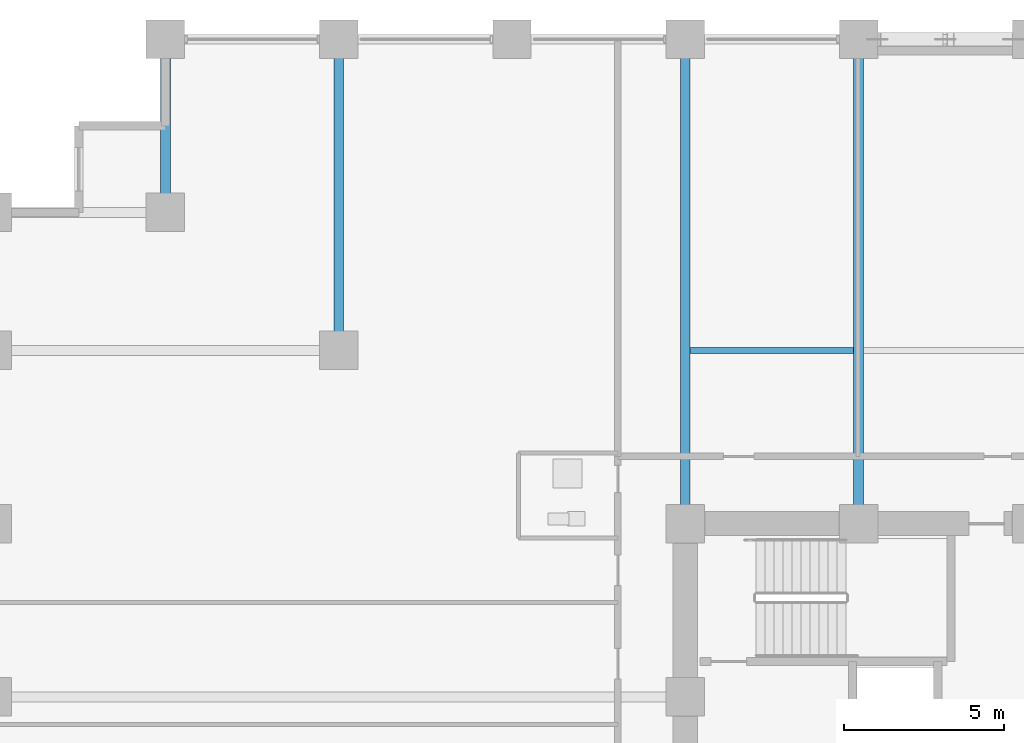
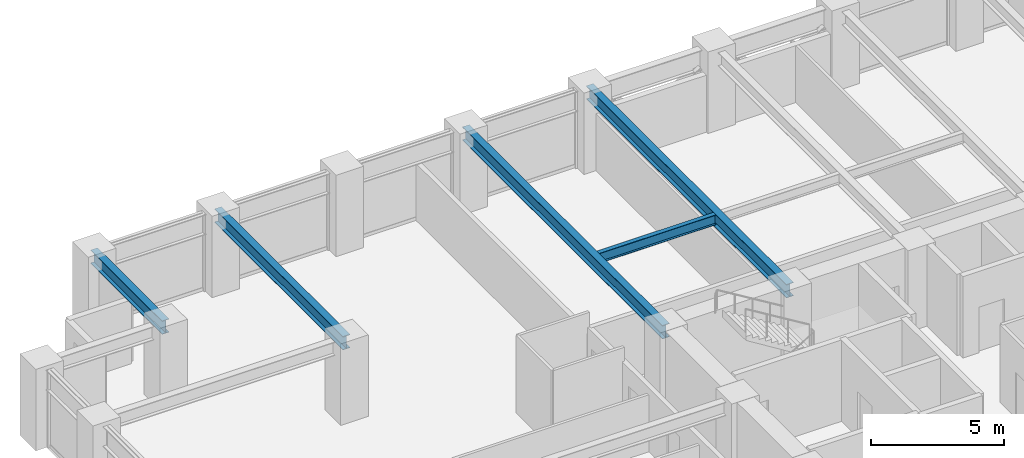
# One storey, part 11 of 28: 5 beams.
"""IFC4 building model written with IfcOpenShell, lengths in metres."""

import ifcopenshell
import ifcopenshell.guid

model = None  # the IFC model being written
_history = None  # IfcOwnerHistory: only IFC2X3 demands one
_inside = {}  # id of a spatial element -> (the spatial element, [elements in it])
_under = {}  # id of a project, library or spatial element -> (it, [spatial elements below it])
_declared = {}  # id of a project -> (the project, [libraries it declares])
_typed = {}  # id of a type object -> (the type object, [elements of that type])
_made_of = {}  # id of a material, layer set ... -> (it, [elements and type objects made of it])


def new_model(schema):
    """Start an empty IFC model of exactly this schema.

    Asked for "IFC4X3", IfcOpenShell would pick the latest addendum, in which some entities
    have other attributes; the version numbers below select the first issue.
    IFC2X3 requires an IfcOwnerHistory on every rooted entity: one is made here for all.
    """
    global model, _history
    if schema == "IFC4X3":
        model = ifcopenshell.file(schema_version=(4, 3, 0, 0))
    else:
        model = ifcopenshell.file(schema=schema)
    _inside.clear()
    _under.clear()
    _declared.clear()
    _typed.clear()
    _made_of.clear()
    _history = None
    if model.schema == "IFC2X3":
        org = make("IfcOrganization", Name="unknown")
        user = make(
            "IfcPersonAndOrganization",
            ThePerson=make("IfcPerson", FamilyName="unknown"),
            TheOrganization=org,
        )
        app = make(
            "IfcApplication",
            ApplicationDeveloper=org,
            Version="unknown",
            ApplicationFullName="unknown",
            ApplicationIdentifier="unknown",
        )
        _history = make(
            "IfcOwnerHistory",
            OwningUser=user,
            OwningApplication=app,
            ChangeAction="ADDED",
            CreationDate=0,
        )
    return model


def make(cls, **values):
    """One entity of the class cls with the attributes given. An attribute that is None is left unset."""
    return model.create_entity(
        cls, **{name: value for name, value in values.items() if value is not None}
    )


def rooted(cls, **values):
    """An entity with a GlobalId (a new one), such as an element, a storey or a relation."""
    return make(cls, GlobalId=ifcopenshell.guid.new(), OwnerHistory=_history, **values)


def si_unit(unit_type, name, prefix=None):
    """IfcSIUnit, for example si_unit("LENGTHUNIT", "METRE", prefix="MILLI")."""
    return make("IfcSIUnit", UnitType=unit_type, Prefix=prefix, Name=name)


def assignment(units):
    """IfcUnitAssignment: the units of a project."""
    return None if units is None else make("IfcUnitAssignment", Units=units)


def point(xyz):
    """IfcCartesianPoint."""
    return None if xyz is None else make("IfcCartesianPoint", Coordinates=xyz)


def direction(xyz):
    """IfcDirection."""
    return None if xyz is None else make("IfcDirection", DirectionRatios=xyz)


def frame(location, z_axis=None, x_axis=None):
    """IfcAxis2Placement3D, a coordinate frame: its origin and axes. An axis left out is left unset."""
    return make(
        "IfcAxis2Placement3D",
        Location=point(location),
        Axis=direction(z_axis),
        RefDirection=direction(x_axis),
    )


def frame_2d(location, x_axis=None):
    """IfcAxis2Placement2D, a coordinate frame in the plane: its origin and x axis."""
    return make(
        "IfcAxis2Placement2D", Location=point(location), RefDirection=direction(x_axis)
    )


def origin():
    """The frame at (0, 0, 0) with its axes left unset."""
    return frame((0.0, 0.0, 0.0))


def origin_2d():
    """The frame at (0, 0) in the plane with its x axis left unset."""
    return frame_2d((0.0, 0.0))


def place(relative_to, where):
    """IfcLocalPlacement: puts the frame where relative to a parent placement (None: the world)."""
    return make(
        "IfcLocalPlacement", PlacementRelTo=relative_to, RelativePlacement=where
    )


def context(
    kind, dimensions, precision=None, world=None, true_north=None, identifier=None
):
    """IfcGeometricRepresentationContext, for example the 3D "Model" context."""
    return make(
        "IfcGeometricRepresentationContext",
        ContextIdentifier=identifier,
        ContextType=kind,
        CoordinateSpaceDimension=dimensions,
        Precision=precision,
        WorldCoordinateSystem=world,
        TrueNorth=true_north,
    )


def subcontext(parent, identifier, kind, view, scale=None):
    """IfcGeometricRepresentationSubContext, for example "Body" below "Model"."""
    return make(
        "IfcGeometricRepresentationSubContext",
        ContextIdentifier=identifier,
        ContextType=kind,
        ParentContext=parent,
        TargetScale=scale,
        TargetView=view,
    )


def project(units=None, contexts=None):
    """IfcProject with its units and contexts."""
    return rooted(
        "IfcProject",
        Name="project",
        RepresentationContexts=contexts,
        UnitsInContext=assignment(units),
    )


def spatial(cls, under=None, at=None, **own):
    """A site, building, storey or space (cls), placed at a placement, below another one or the project."""
    s = rooted(cls, ObjectPlacement=at, **own)
    if under is not None:
        _under.setdefault(under.id(), (under, []))[1].append(s)
    return s


def profile(cls, at=None, kind="AREA", **sizes):
    """A parametric profile (cls). Its sizes go by their IFC names, for example OverallWidth=200.0."""
    return make(cls, ProfileType=kind, Position=at, **sizes)


def i_section(**sizes):
    """IfcIShapeProfileDef."""
    return profile("IfcIShapeProfileDef", **sizes)


def extrude(swept, where, along, depth):
    """IfcExtrudedAreaSolid: the profile swept, set in the frame where, extruded along a direction by depth."""
    return make(
        "IfcExtrudedAreaSolid",
        SweptArea=swept,
        Position=where,
        ExtrudedDirection=direction(along),
        Depth=depth,
    )


def shape(context_of_items, identifier, shape_type, items):
    """IfcShapeRepresentation: the items that make up one representation, for example the "Body"."""
    return make(
        "IfcShapeRepresentation",
        ContextOfItems=context_of_items,
        RepresentationIdentifier=identifier,
        RepresentationType=shape_type,
        Items=items,
    )


def material(Name=None, Category=None):
    """IfcMaterial."""
    return make("IfcMaterial", Name=Name, Category=Category)


def material_profile(
    of_material, cross_section, Name=None, Category=None, Priority=None
):
    """IfcMaterialProfile: a cross section and its material."""
    return make(
        "IfcMaterialProfile",
        Name=Name,
        Material=of_material,
        Profile=cross_section,
        Priority=Priority,
        Category=Category,
    )


def profile_set(profiles, Name=None, composite=None):
    """IfcMaterialProfileSet."""
    return make(
        "IfcMaterialProfileSet",
        Name=Name,
        MaterialProfiles=profiles,
        CompositeProfile=composite,
    )


def made_of(thing, what):
    """Note that an element or type object is made of a material, layer set ...; save() writes the relation."""
    if what is not None:
        _made_of.setdefault(what.id(), (what, []))[1].append(thing)
    return thing


def type_object(cls, material=None, **own):
    """A type object (cls), such as IfcWallType, which elements share."""
    return made_of(rooted(cls, **own), material)


def element(
    cls,
    number,
    at=None,
    inside=None,
    cuts=None,
    type_object=None,
    material=None,
    context=None,
    identifier="Body",
    shape_type=None,
    held_by="IfcProductDefinitionShape",
    body=None,
    shapes=None,
    **own,
):
    """One element of the class cls, such as IfcWall. Its Tag is "e" and its number.

    at: its placement. inside: the storey or other place that contains it. cuts: it is an
    opening in that element (IfcRelVoidsElement). A single representation is given by context,
    identifier, shape_type and body (its items); several are given by shapes. held_by: the class
    of the entity that holds the representations. save() writes the other relations.
    """
    e = rooted(cls, Tag="e%d" % number, ObjectPlacement=at, **own)
    if body is not None:
        shapes = [shape(context, identifier, shape_type, body)]
    if shapes is not None:
        e.Representation = make(held_by, Representations=shapes)
    if inside is not None:
        _inside.setdefault(inside.id(), (inside, []))[1].append(e)
    if cuts is not None:
        rooted(
            "IfcRelVoidsElement", RelatingBuildingElement=cuts, RelatedOpeningElement=e
        )
    if type_object is not None:
        _typed.setdefault(type_object.id(), (type_object, []))[1].append(e)
    return made_of(e, material)


def aggregate(whole, parts):
    """IfcRelAggregates: a whole, such as a stair, and the parts it consists of."""
    return rooted("IfcRelAggregates", RelatingObject=whole, RelatedObjects=parts)


def save(model, path):
    """Write the relations noted so far, then the file.

    IfcRelAggregates (storeys below a building ...), IfcRelContainedInSpatialStructure (elements
    in a storey), IfcRelDefinesByType, IfcRelAssociatesMaterial and IfcRelDeclares: one each for
    every whole, place, type object, material and project.
    """
    for whole, parts in _under.values():
        aggregate(whole, parts)
    for where, things in _inside.values():
        rooted(
            "IfcRelContainedInSpatialStructure",
            RelatedElements=things,
            RelatingStructure=where,
        )
    for kind, things in _typed.values():
        rooted("IfcRelDefinesByType", RelatedObjects=things, RelatingType=kind)
    for what, things in _made_of.values():
        rooted("IfcRelAssociatesMaterial", RelatedObjects=things, RelatingMaterial=what)
    for by, libraries in _declared.values():
        rooted("IfcRelDeclares", RelatingContext=by, RelatedDefinitions=libraries)
    model.write(path)


model = new_model("IFC4")

# Units and contexts
model_context = context("Model", 3, precision=1e-05, world=origin(), true_north=direction((0.0, 1.0)))
body_context = subcontext(model_context, "Body", "Model", "MODEL_VIEW")
ifc_project = project(units=[si_unit("LENGTHUNIT", "METRE"), si_unit("AREAUNIT", "SQUARE_METRE"), si_unit("VOLUMEUNIT", "CUBIC_METRE"), si_unit("PLANEANGLEUNIT", "RADIAN"), si_unit("MASSUNIT", "GRAM", prefix="KILO")], contexts=[model_context])

# Site, building, storey
site_placement = place(None, origin())
site = spatial("IfcSite", under=ifc_project, at=site_placement, CompositionType="ELEMENT")
building_placement = place(site_placement, origin())
building = spatial("IfcBuilding", under=site, at=building_placement, Name="Surkhivell Harbour Commons", CompositionType="ELEMENT")
storey_placement = place(building_placement, frame((0.0, 0.0, 67.5)))
storey = spatial("IfcBuildingStorey", under=building, at=storey_placement, Name="L17", CompositionType="ELEMENT", Elevation=67.5)

# Beams
ifc_material = material(Name="Steel S355", Category="steel")
ifc_material_profile_1 = material_profile(ifc_material, i_section(OverallWidth=0.306884765625, OverallDepth=0.6201171875, WebThickness=0.01416015625, FlangeThickness=0.023681640625, at=origin_2d()), Name="UB610x305x179")
ifc_profile_set_1 = profile_set([ifc_material_profile_1], Name="Steel S355")
beam_type_1 = type_object("IfcBeamType", Name="BM-GRD-610A", PredefinedType="BEAM", material=ifc_profile_set_1)
beam_1_placement = place(storey_placement, frame((-27.0, 20.5, 3.260009765625), z_axis=(0.0, 1.0, 0.0), x_axis=(-1.0, 0.0, 0.0)))
element("IfcBeam", 1, at=beam_1_placement, inside=storey, type_object=beam_type_1, Name="L17 Floor Girder (-27.0,20.5)", PredefinedType="BEAM", context=body_context, shape_type="SweptSolid", body=[
    extrude(i_section(OverallWidth=0.306884765625, OverallDepth=0.6201171875, WebThickness=0.01416015625, FlangeThickness=0.023681640625, at=origin_2d()), origin(), (0.0, 0.0, 1.0), 5.39990234375),
])
beam_2_placement = place(storey_placement, frame((-21.60009765625, 16.199951171875, 3.260009765625), z_axis=(0.0, 1.0, 0.0), x_axis=(-1.0, 0.0, 0.0)))
element("IfcBeam", 2, at=beam_2_placement, inside=storey, type_object=beam_type_1, Name="L17 Floor Girder (-21.6,16.2)", PredefinedType="BEAM", context=body_context, shape_type="SweptSolid", body=[
    extrude(i_section(OverallWidth=0.306884765625, OverallDepth=0.6201171875, WebThickness=0.01416015625, FlangeThickness=0.023681640625, at=origin_2d()), origin(), (0.0, 0.0, 1.0), 9.699951171875),
])
for number, where, z_axis, x_axis, name in (
    (3, (-10.800048828125, 10.800048828125, 3.260009765625), (0.0, 1.0, 0.0), (-1.0, 0.0, 0.0), "L17 Floor Girder (-10.8,10.8)"),
    (4, (-5.39990234375, 10.800048828125, 3.260009765625), (0.0, 1.0, 0.0), (-1.0, 0.0, 0.0), "L17 Floor Girder (-5.4,10.8)"),
):
    element("IfcBeam", number, at=place(storey_placement, frame(where, z_axis=z_axis, x_axis=x_axis)), inside=storey, type_object=beam_type_1, Name=name, PredefinedType="BEAM", context=body_context, shape_type="SweptSolid", body=[
        extrude(i_section(OverallWidth=0.306884765625, OverallDepth=0.6201171875, WebThickness=0.01416015625, FlangeThickness=0.023681640625, at=origin_2d()), origin(), (0.0, 0.0, 1.0), 15.099853515625),
    ])
ifc_material_profile_2 = material_profile(ifc_material, i_section(OverallWidth=0.19189453125, OverallDepth=0.462890625, WebThickness=0.010498046875, FlangeThickness=0.017578125, at=origin_2d()), Name="UB457x191x89")
ifc_profile_set_2 = profile_set([ifc_material_profile_2], Name="Steel S355")
beam_type_2 = type_object("IfcBeamType", Name="BM-JST-457A", PredefinedType="JOIST", material=ifc_profile_set_2)
beam_3_placement = place(storey_placement, frame((-10.6484375, 16.199951171875, 3.33837890625), z_axis=(1.0, 0.0, 0.0), x_axis=(0.0, 1.0, 0.0)))
element("IfcBeam", 5, at=beam_3_placement, inside=storey, type_object=beam_type_2, Name="L17 North Composite Joist (-10.8)", PredefinedType="JOIST", context=body_context, shape_type="SweptSolid", body=[
    extrude(i_section(OverallWidth=0.19189453125, OverallDepth=0.462890625, WebThickness=0.010498046875, FlangeThickness=0.017578125, at=origin_2d()), origin(), (0.0, 0.0, 1.0), 5.096923828125),
])

save(model, "model.ifc")
